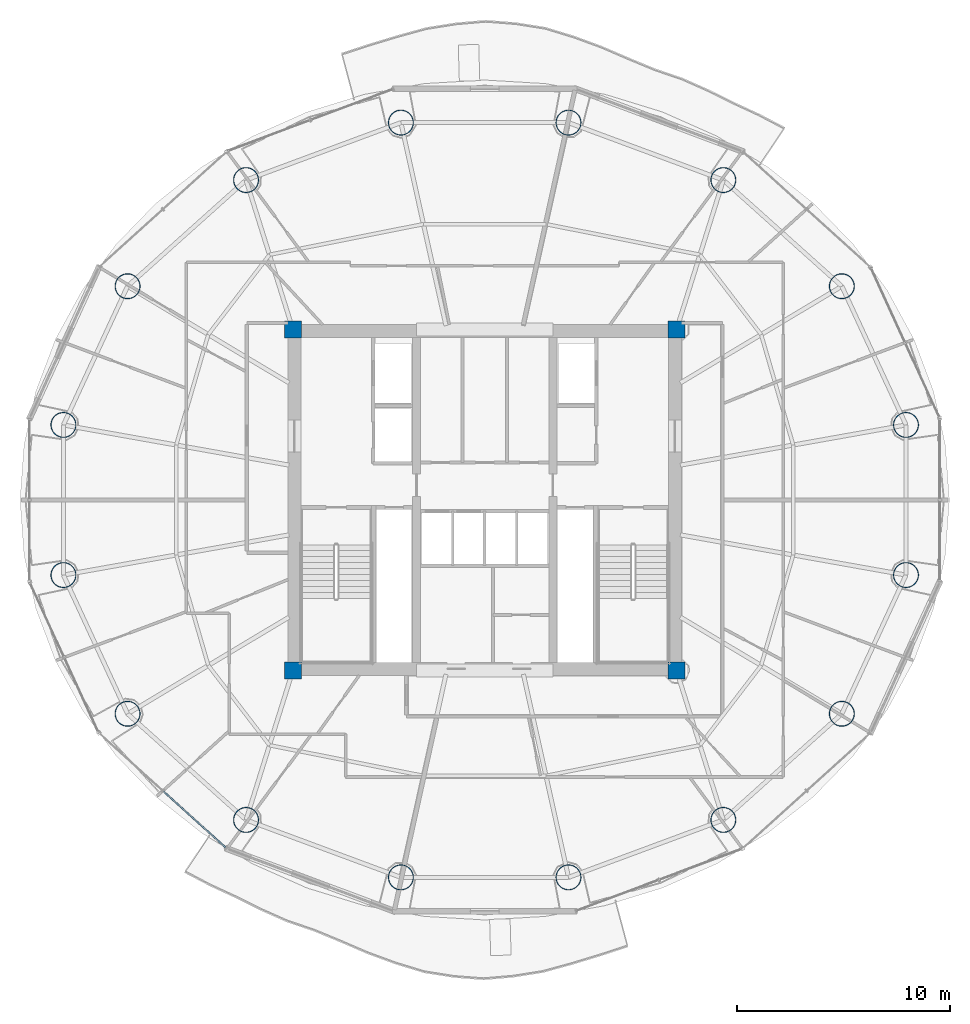
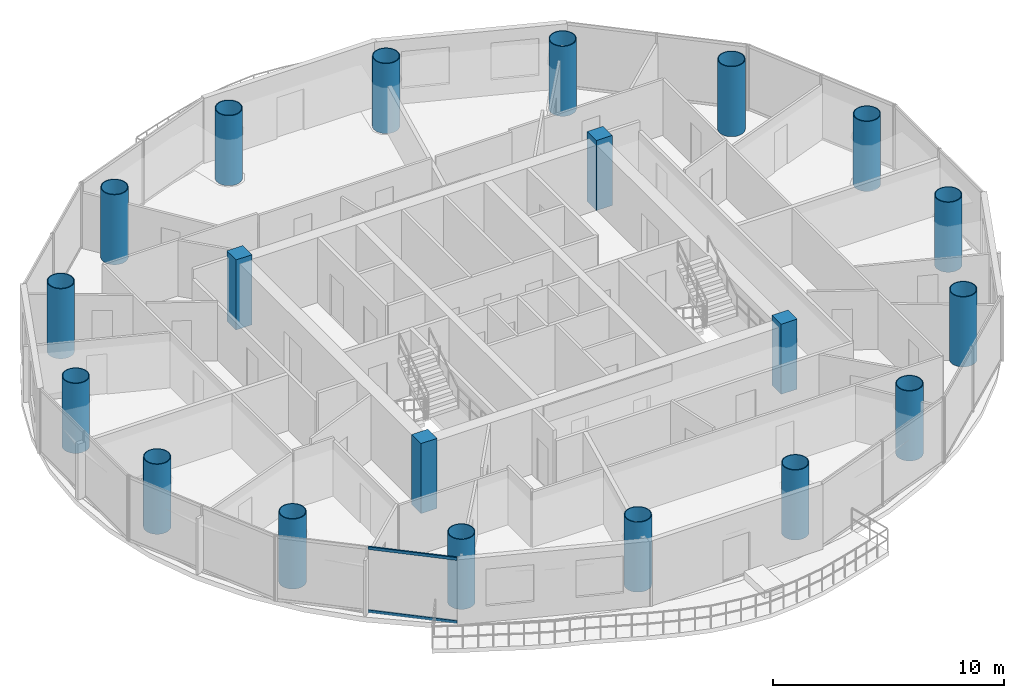
# One storey, part 1 of 26: 20 columns, 2 members, 1 element without a shape of its own.
"""IFC4 building model written with IfcOpenShell, lengths in metres."""

from ifc_helpers import new_model, si_unit, direction, frame, origin, origin_2d, place, context, subcontext, project, spatial, rectangle, hollow_rectangle, hollow_circle, extrude, source, transform, mapped, material, material_profile, profile_set, type_object, element, aggregate, save


model = new_model("IFC4")

# Units and contexts
model_context = context("Model", 3, precision=1e-05, world=origin(), true_north=direction((-0.2419218956, 0.970295726276)))
body_context = subcontext(model_context, "Body", "Model", "MODEL_VIEW")
ifc_project = project(units=[si_unit("LENGTHUNIT", "METRE"), si_unit("AREAUNIT", "SQUARE_METRE"), si_unit("VOLUMEUNIT", "CUBIC_METRE"), si_unit("PLANEANGLEUNIT", "RADIAN"), si_unit("MASSUNIT", "GRAM", prefix="KILO")], contexts=[model_context])

# Site, building, storey
site_placement = place(None, origin())
site = spatial("IfcSite", under=ifc_project, at=site_placement, CompositionType="ELEMENT")
building_placement = place(site_placement, origin())
building = spatial("IfcBuilding", under=site, at=building_placement, Name="Cobrevalo Terracotta Tower", CompositionType="ELEMENT")
storey_placement = place(building_placement, frame((0.0, 0.0, 220.800048828125)))
storey = spatial("IfcBuildingStorey", under=building, at=storey_placement, Name="L58", CompositionType="ELEMENT", Elevation=220.800048828125)

# Columns
ifc_material_1 = material(Name="Steel S355", Category="steel")
ifc_material_profile_1 = material_profile(ifc_material_1, hollow_circle(Radius=0.60009765625, WallThickness=0.0380859375, at=origin_2d()), Name="CHS 1200x38")
ifc_profile_set_1 = profile_set([ifc_material_profile_1], Name="Steel S355")
column_type_1 = type_object("IfcColumnType", Name="Structural Column CHS 1200x38 (Steel S355)", PredefinedType="COLUMN", material=ifc_profile_set_1)
for number, where, z_axis, x_axis, name in (
    (1, (57.762939453125, 30.3212890625, 0.0), (0.0, 0.0, 1.0), (1.0, 0.0, 0.0), "L58 composite megacolumn MC01"),
    (2, (54.754150390625, 36.828125, 0.0), (0.0, 0.0, 1.0), (1.0, 0.0, 0.0), "L58 composite megacolumn MC02"),
    (3, (49.19482421875, 41.80810546875, 0.0), (0.0, 0.0, 1.0), (1.0, 0.0, 0.0), "L58 composite megacolumn MC03"),
    (4, (41.93115234375, 44.503173828125, 0.0), (0.0, 0.0, 1.0), (1.0, 0.0, 0.0), "L58 composite megacolumn MC04"),
    (5, (34.06884765625, 44.503173828125, 0.0), (0.0, 0.0, 1.0), (1.0, 0.0, 0.0), "L58 composite megacolumn MC05"),
    (6, (26.80517578125, 41.80810546875, 0.0), (0.0, 0.0, 1.0), (1.0, 0.0, 0.0), "L58 composite megacolumn MC06"),
    (7, (21.245849609375, 36.828125, 0.0), (0.0, 0.0, 1.0), (1.0, 0.0, 0.0), "L58 composite megacolumn MC07"),
    (8, (18.237060546875, 30.3212890625, 0.0), (0.0, 0.0, 1.0), (1.0, 0.0, 0.0), "L58 composite megacolumn MC08"),
    (9, (18.237060546875, 23.278564453125, 0.0), (0.0, 0.0, 1.0), (1.0, 0.0, 0.0), "L58 composite megacolumn MC09"),
    (10, (21.245849609375, 16.77197265625, 0.0), (0.0, 0.0, 1.0), (1.0, 0.0, 0.0), "L58 composite megacolumn MC10"),
    (11, (26.80517578125, 11.7919921875, 0.0), (0.0, 0.0, 1.0), (1.0, 0.0, 0.0), "L58 composite megacolumn MC11"),
    (12, (34.06884765625, 9.096923828125, 0.0), (0.0, 0.0, 1.0), (1.0, 0.0, 0.0), "L58 composite megacolumn MC12"),
    (13, (41.93115234375, 9.096923828125, 0.0), (0.0, 0.0, 1.0), (1.0, 0.0, 0.0), "L58 composite megacolumn MC13"),
    (14, (49.19482421875, 11.7919921875, 0.0), (0.0, 0.0, 1.0), (1.0, 0.0, 0.0), "L58 composite megacolumn MC14"),
    (15, (54.754150390625, 16.77197265625, 0.0), (0.0, 0.0, 1.0), (1.0, 0.0, 0.0), "L58 composite megacolumn MC15"),
    (16, (57.762939453125, 23.278564453125, 0.0), (0.0, 0.0, 1.0), (1.0, 0.0, 0.0), "L58 composite megacolumn MC16"),
):
    element("IfcColumn", number, at=place(storey_placement, frame(where, z_axis=z_axis, x_axis=x_axis)), inside=storey, type_object=column_type_1, Name=name, PredefinedType="COLUMN", context=body_context, shape_type="SweptSolid", body=[
        extrude(hollow_circle(Radius=0.60009765625, WallThickness=0.0380859375, at=origin_2d()), origin(), (0.0, 0.0, 1.0), 3.699951171875),
    ])
ifc_material_2 = material(Name="Concrete C50", Category="concrete")
ifc_material_profile_2 = material_profile(ifc_material_2, rectangle(XDim=0.800048828125, YDim=0.800048828125, at=origin_2d()), Name="RC COL 800x800")
ifc_profile_set_2 = profile_set([ifc_material_profile_2], Name="Concrete C50")
column_type_2 = type_object("IfcColumnType", Name="Structural Column RC COL 800x800 (Concrete C50)", PredefinedType="COLUMN", material=ifc_profile_set_2)
for number, where, z_axis, x_axis, name in (
    (17, (29.0, 18.800048828125, 0.0), (0.0, 0.0, 1.0), (1.0, 0.0, 0.0), "L58 core corner column CC1"),
    (18, (47.0, 18.800048828125, 0.0), (0.0, 0.0, 1.0), (1.0, 0.0, 0.0), "L58 core corner column CC2"),
    (19, (47.0, 34.800048828125, 0.0), (0.0, 0.0, 1.0), (1.0, 0.0, 0.0), "L58 core corner column CC3"),
    (20, (29.0, 34.800048828125, 0.0), (0.0, 0.0, 1.0), (1.0, 0.0, 0.0), "L58 core corner column CC4"),
):
    element("IfcColumn", number, at=place(storey_placement, frame(where, z_axis=z_axis, x_axis=x_axis)), inside=storey, type_object=column_type_2, Name=name, PredefinedType="COLUMN", context=body_context, shape_type="SweptSolid", body=[
        extrude(rectangle(XDim=0.800048828125, YDim=0.800048828125, at=origin_2d()), origin(), (0.0, 0.0, 1.0), 3.699951171875),
    ])

# Curtain wall, members
ifc_material_3 = material(Name="Anodized aluminium", Category="aluminium")
curtain_wall_type = type_object("IfcCurtainWallType", Name="Mid-tower high-wind unitised curtain wall CW-U2", PredefinedType="NOTDEFINED", material=ifc_material_3)
curtain_wall_placement = place(storey_placement, origin())
curtain_wall = element("IfcCurtainWall", 21, at=curtain_wall_placement, inside=storey, type_object=curtain_wall_type, Name="L58 curtain wall CW-L58-S10", PredefinedType="NOTDEFINED")
ifc_material_profile_3 = material_profile(ifc_material_3, hollow_rectangle(XDim=0.074951171875, YDim=0.14990234375, WallThickness=0.00439453125, at=origin_2d()), Name="CWT 75x150")
ifc_profile_set_3 = profile_set([ifc_material_profile_3], Name="Anodized aluminium")
member_type = type_object("IfcMemberType", Name="Tower unitised aluminium transom 75x150", PredefinedType="USERDEFINED", material=ifc_profile_set_3)
shared_shape = source(origin(), body_context, "Body", "SweptSolid", [
    extrude(hollow_rectangle(XDim=0.074951171875, YDim=0.14990234375, WallThickness=0.00439453125, at=origin_2d()), origin(), (0.0, 0.0, 1.0), 3.927734375),
])
member_1_placement = place(storey_placement, frame((22.931640625, 13.131591796875, 0.050048828125), z_axis=(0.742003891138, -0.670395573923, 0.0), x_axis=(0.670395573923, 0.742003891138, 0.0)))
member_1 = element("IfcMember", 22, at=member_1_placement, type_object=member_type, Name="CW-L58-S10 transom B02-T1", ObjectType="TRANSOM", PredefinedType="USERDEFINED", context=body_context, shape_type="MappedRepresentation", body=[
    mapped(shared_shape, transform((0.0, 0.0, 0.0), scale=1.0)),
])
member_2_placement = place(storey_placement, frame((22.931640625, 13.131591796875, 3.385009765625), z_axis=(0.742003891138, -0.670395573923, 0.0), x_axis=(0.670395573923, 0.742003891138, 0.0)))
member_2 = element("IfcMember", 23, at=member_2_placement, type_object=member_type, Name="CW-L58-S10 transom B02-T2", ObjectType="TRANSOM", PredefinedType="USERDEFINED", context=body_context, shape_type="MappedRepresentation", body=[
    mapped(shared_shape, transform((0.0, 0.0, 0.0), scale=1.0)),
])
aggregate(curtain_wall, [member_1, member_2])

save(model, "model.ifc")
